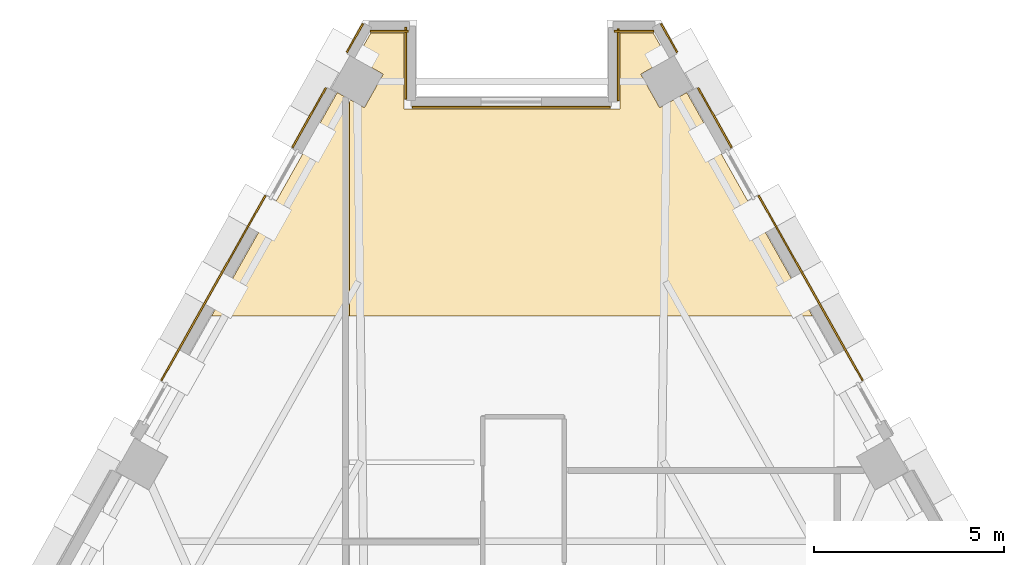
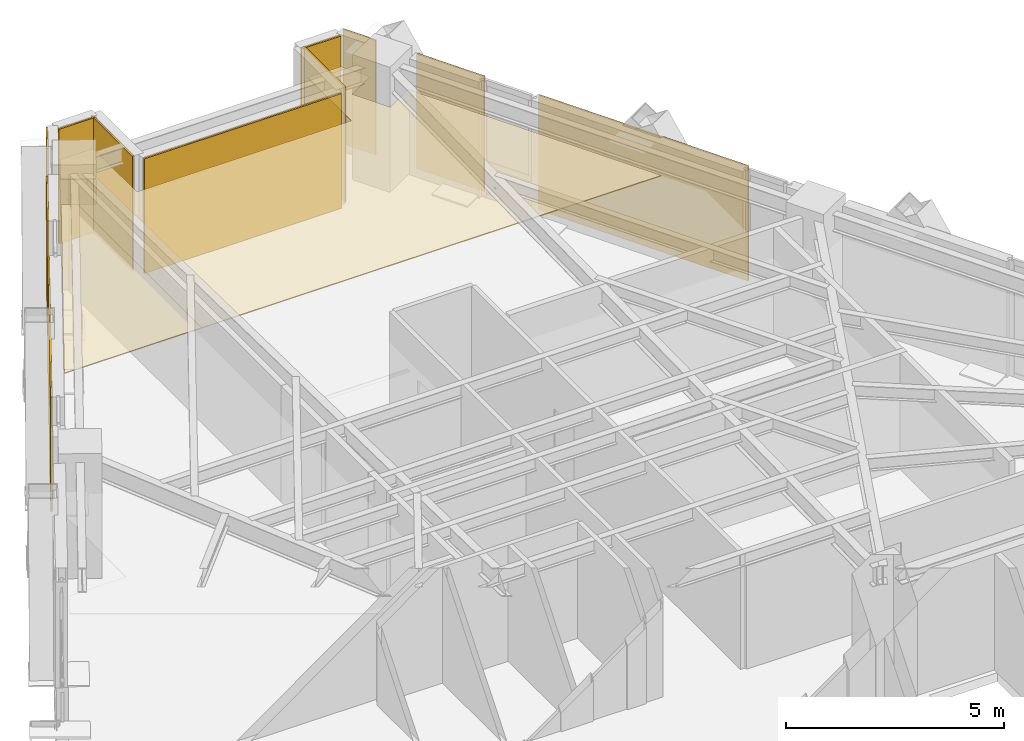
# One storey, part 13 of 13: 13 coverings.
"""IFC4 building model written with IfcOpenShell, lengths in metres."""

import ifcopenshell
import ifcopenshell.guid

model = None  # the IFC model being written
_history = None  # IfcOwnerHistory: only IFC2X3 demands one
_inside = {}  # id of a spatial element -> (the spatial element, [elements in it])
_under = {}  # id of a project, library or spatial element -> (it, [spatial elements below it])
_declared = {}  # id of a project -> (the project, [libraries it declares])
_typed = {}  # id of a type object -> (the type object, [elements of that type])
_made_of = {}  # id of a material, layer set ... -> (it, [elements and type objects made of it])


def new_model(schema):
    """Start an empty IFC model of exactly this schema.

    Asked for "IFC4X3", IfcOpenShell would pick the latest addendum, in which some entities
    have other attributes; the version numbers below select the first issue.
    IFC2X3 requires an IfcOwnerHistory on every rooted entity: one is made here for all.
    """
    global model, _history
    if schema == "IFC4X3":
        model = ifcopenshell.file(schema_version=(4, 3, 0, 0))
    else:
        model = ifcopenshell.file(schema=schema)
    _inside.clear()
    _under.clear()
    _declared.clear()
    _typed.clear()
    _made_of.clear()
    _history = None
    if model.schema == "IFC2X3":
        org = make("IfcOrganization", Name="unknown")
        user = make(
            "IfcPersonAndOrganization",
            ThePerson=make("IfcPerson", FamilyName="unknown"),
            TheOrganization=org,
        )
        app = make(
            "IfcApplication",
            ApplicationDeveloper=org,
            Version="unknown",
            ApplicationFullName="unknown",
            ApplicationIdentifier="unknown",
        )
        _history = make(
            "IfcOwnerHistory",
            OwningUser=user,
            OwningApplication=app,
            ChangeAction="ADDED",
            CreationDate=0,
        )
    return model


def make(cls, **values):
    """One entity of the class cls with the attributes given. An attribute that is None is left unset."""
    return model.create_entity(
        cls, **{name: value for name, value in values.items() if value is not None}
    )


def rooted(cls, **values):
    """An entity with a GlobalId (a new one), such as an element, a storey or a relation."""
    return make(cls, GlobalId=ifcopenshell.guid.new(), OwnerHistory=_history, **values)


def si_unit(unit_type, name, prefix=None):
    """IfcSIUnit, for example si_unit("LENGTHUNIT", "METRE", prefix="MILLI")."""
    return make("IfcSIUnit", UnitType=unit_type, Prefix=prefix, Name=name)


def assignment(units):
    """IfcUnitAssignment: the units of a project."""
    return None if units is None else make("IfcUnitAssignment", Units=units)


def point(xyz):
    """IfcCartesianPoint."""
    return None if xyz is None else make("IfcCartesianPoint", Coordinates=xyz)


def direction(xyz):
    """IfcDirection."""
    return None if xyz is None else make("IfcDirection", DirectionRatios=xyz)


def frame(location, z_axis=None, x_axis=None):
    """IfcAxis2Placement3D, a coordinate frame: its origin and axes. An axis left out is left unset."""
    return make(
        "IfcAxis2Placement3D",
        Location=point(location),
        Axis=direction(z_axis),
        RefDirection=direction(x_axis),
    )


def origin():
    """The frame at (0, 0, 0) with its axes left unset."""
    return frame((0.0, 0.0, 0.0))


def place(relative_to, where):
    """IfcLocalPlacement: puts the frame where relative to a parent placement (None: the world)."""
    return make(
        "IfcLocalPlacement", PlacementRelTo=relative_to, RelativePlacement=where
    )


def context(
    kind, dimensions, precision=None, world=None, true_north=None, identifier=None
):
    """IfcGeometricRepresentationContext, for example the 3D "Model" context."""
    return make(
        "IfcGeometricRepresentationContext",
        ContextIdentifier=identifier,
        ContextType=kind,
        CoordinateSpaceDimension=dimensions,
        Precision=precision,
        WorldCoordinateSystem=world,
        TrueNorth=true_north,
    )


def subcontext(parent, identifier, kind, view, scale=None):
    """IfcGeometricRepresentationSubContext, for example "Body" below "Model"."""
    return make(
        "IfcGeometricRepresentationSubContext",
        ContextIdentifier=identifier,
        ContextType=kind,
        ParentContext=parent,
        TargetScale=scale,
        TargetView=view,
    )


def project(units=None, contexts=None):
    """IfcProject with its units and contexts."""
    return rooted(
        "IfcProject",
        Name="project",
        RepresentationContexts=contexts,
        UnitsInContext=assignment(units),
    )


def spatial(cls, under=None, at=None, **own):
    """A site, building, storey or space (cls), placed at a placement, below another one or the project."""
    s = rooted(cls, ObjectPlacement=at, **own)
    if under is not None:
        _under.setdefault(under.id(), (under, []))[1].append(s)
    return s


def polyline(points):
    """IfcPolyline through the points."""
    return make("IfcPolyline", Points=[point(p) for p in points])


def outline(outer, holes=None, kind="AREA"):
    """IfcArbitraryClosedProfileDef: a profile drawn as a closed curve; with holes, ...WithVoids."""
    if holes is None:
        return make("IfcArbitraryClosedProfileDef", ProfileType=kind, OuterCurve=outer)
    return make(
        "IfcArbitraryProfileDefWithVoids",
        ProfileType=kind,
        OuterCurve=outer,
        InnerCurves=holes,
    )


def extrude(swept, where, along, depth):
    """IfcExtrudedAreaSolid: the profile swept, set in the frame where, extruded along a direction by depth."""
    return make(
        "IfcExtrudedAreaSolid",
        SweptArea=swept,
        Position=where,
        ExtrudedDirection=direction(along),
        Depth=depth,
    )


def shape(context_of_items, identifier, shape_type, items):
    """IfcShapeRepresentation: the items that make up one representation, for example the "Body"."""
    return make(
        "IfcShapeRepresentation",
        ContextOfItems=context_of_items,
        RepresentationIdentifier=identifier,
        RepresentationType=shape_type,
        Items=items,
    )


def material(Name=None, Category=None):
    """IfcMaterial."""
    return make("IfcMaterial", Name=Name, Category=Category)


def layer(
    of_material, thickness, ventilated=None, Name=None, Category=None, Priority=None
):
    """IfcMaterialLayer: one layer of a wall or slab, of a material (None: an air gap)."""
    return make(
        "IfcMaterialLayer",
        Material=of_material,
        LayerThickness=thickness,
        IsVentilated=ventilated,
        Name=Name,
        Category=Category,
        Priority=Priority,
    )


def layer_set(layers, Name=None):
    """IfcMaterialLayerSet."""
    return make("IfcMaterialLayerSet", MaterialLayers=layers, LayerSetName=Name)


def made_of(thing, what):
    """Note that an element or type object is made of a material, layer set ...; save() writes the relation."""
    if what is not None:
        _made_of.setdefault(what.id(), (what, []))[1].append(thing)
    return thing


def type_object(cls, material=None, **own):
    """A type object (cls), such as IfcWallType, which elements share."""
    return made_of(rooted(cls, **own), material)


def element(
    cls,
    number,
    at=None,
    inside=None,
    cuts=None,
    type_object=None,
    material=None,
    context=None,
    identifier="Body",
    shape_type=None,
    held_by="IfcProductDefinitionShape",
    body=None,
    shapes=None,
    **own,
):
    """One element of the class cls, such as IfcWall. Its Tag is "e" and its number.

    at: its placement. inside: the storey or other place that contains it. cuts: it is an
    opening in that element (IfcRelVoidsElement). A single representation is given by context,
    identifier, shape_type and body (its items); several are given by shapes. held_by: the class
    of the entity that holds the representations. save() writes the other relations.
    """
    e = rooted(cls, Tag="e%d" % number, ObjectPlacement=at, **own)
    if body is not None:
        shapes = [shape(context, identifier, shape_type, body)]
    if shapes is not None:
        e.Representation = make(held_by, Representations=shapes)
    if inside is not None:
        _inside.setdefault(inside.id(), (inside, []))[1].append(e)
    if cuts is not None:
        rooted(
            "IfcRelVoidsElement", RelatingBuildingElement=cuts, RelatedOpeningElement=e
        )
    if type_object is not None:
        _typed.setdefault(type_object.id(), (type_object, []))[1].append(e)
    return made_of(e, material)


def aggregate(whole, parts):
    """IfcRelAggregates: a whole, such as a stair, and the parts it consists of."""
    return rooted("IfcRelAggregates", RelatingObject=whole, RelatedObjects=parts)


def save(model, path):
    """Write the relations noted so far, then the file.

    IfcRelAggregates (storeys below a building ...), IfcRelContainedInSpatialStructure (elements
    in a storey), IfcRelDefinesByType, IfcRelAssociatesMaterial and IfcRelDeclares: one each for
    every whole, place, type object, material and project.
    """
    for whole, parts in _under.values():
        aggregate(whole, parts)
    for where, things in _inside.values():
        rooted(
            "IfcRelContainedInSpatialStructure",
            RelatedElements=things,
            RelatingStructure=where,
        )
    for kind, things in _typed.values():
        rooted("IfcRelDefinesByType", RelatedObjects=things, RelatingType=kind)
    for what, things in _made_of.values():
        rooted("IfcRelAssociatesMaterial", RelatedObjects=things, RelatingMaterial=what)
    for by, libraries in _declared.values():
        rooted("IfcRelDeclares", RelatingContext=by, RelatedDefinitions=libraries)
    model.write(path)


model = new_model("IFC4")

# Units and contexts
model_context = context("Model", 3, precision=1e-05, world=origin(), true_north=direction((0.0, 1.0)))
body_context = subcontext(model_context, "Body", "Model", "MODEL_VIEW")
ifc_project = project(units=[si_unit("LENGTHUNIT", "METRE"), si_unit("AREAUNIT", "SQUARE_METRE"), si_unit("VOLUMEUNIT", "CUBIC_METRE"), si_unit("PLANEANGLEUNIT", "RADIAN"), si_unit("MASSUNIT", "GRAM", prefix="KILO")], contexts=[model_context])

# Site, building, storey
site_placement = place(None, origin())
site = spatial("IfcSite", under=ifc_project, at=site_placement, CompositionType="ELEMENT")
building_placement = place(site_placement, origin())
building = spatial("IfcBuilding", under=site, at=building_placement, Name="Quenlor Broadcast Tower", CompositionType="ELEMENT")
storey_placement = place(building_placement, frame((0.0, 0.0, 147.5)))
storey = spatial("IfcBuildingStorey", under=building, at=storey_placement, Name="L40", CompositionType="ELEMENT", Elevation=147.5)

# Coverings
ifc_material_1 = material(Name="Acoustic Mineral Fibre Board", Category="other")
ifc_layer_1 = layer(ifc_material_1, 0.02490234375)
ifc_layer_set_1 = layer_set([ifc_layer_1], Name="Acoustic Perforated Mineral Tile Ceiling 25")
covering_type_1 = type_object("IfcCoveringType", Name="Acoustic Perforated Mineral Tile Ceiling 25", PredefinedType="CEILING", material=ifc_layer_set_1)
covering_1_placement = place(storey_placement, frame((0.0, 0.0, 2.375)))
element("IfcCovering", 1, at=covering_1_placement, inside=storey, type_object=covering_type_1, Name="L40 Acoustic Ceiling L40-29-2", PredefinedType="CEILING", context=body_context, shape_type="SweptSolid", body=[
    extrude(outline(polyline([(3.71630859375, 20.10009765625), (4.100341796875, 19.416748046875), (3.387451171875, 19.015869140625), (3.885498046875, 18.13037109375), (4.598388671875, 18.53125), (7.90673828125, 12.64990234375), (-4.300048828125, 12.64990234375), (-4.300048828125, 18.36328125), (-3.885498046875, 18.13037109375), (-3.387451171875, 19.015869140625), (-4.100341796875, 19.416748046875), (-3.71630859375, 20.10009765625), (-2.840087890625, 20.10009765625), (-2.840087890625, 18.10009765625), (2.840087890625, 18.10009765625), (2.840087890625, 20.10009765625), (3.71630859375, 20.10009765625)])), origin(), (0.0, 0.0, 1.0), 0.02490234375),
])
covering_2_placement = place(storey_placement, frame((0.0, 0.0, 2.375)))
element("IfcCovering", 2, at=covering_2_placement, inside=storey, type_object=covering_type_1, Name="L40 Acoustic Ceiling L40-35-3", PredefinedType="CEILING", context=body_context, shape_type="SweptSolid", body=[
    extrude(outline(polyline([(-6.2578125, 15.581787109375), (-4.598388671875, 18.53125), (-4.27001953125, 18.346435546875), (-4.27001953125, 12.64990234375), (-7.90673828125, 12.64990234375), (-6.2578125, 15.581787109375)])), origin(), (0.0, 0.0, 1.0), 0.02490234375),
])
ifc_material_2 = material(Name="Architectural Terracotta Ceramic", Category="masonry")
ifc_layer_2 = layer(ifc_material_2, 0.044921875)
ifc_layer_set_2 = layer_set([ifc_layer_2], Name="Fluted Terracotta Rainscreen Cladding Panel")
covering_type_2 = type_object("IfcCoveringType", Name="Fluted Terracotta Rainscreen Cladding Panel", PredefinedType="CLADDING", material=ifc_layer_set_2)
covering_3_placement = place(storey_placement, frame((0.0, 0.0, 0.02001953125)))
element("IfcCovering", 3, at=covering_3_placement, inside=storey, type_object=covering_type_2, Name="L40 Terracotta Rainscreen Cladding L40-SHD-NES0", PredefinedType="CLADDING", context=body_context, shape_type="SweptSolid", body=[
    extrude(outline(polyline([(3.904296875, 20.330810546875), (4.32861328125, 19.576171875), (4.367919921875, 19.59814453125), (3.943359375, 20.352783203125), (3.904296875, 20.330810546875)])), origin(), (0.0, 0.0, 1.0), 3.2099609375),
])
covering_4_placement = place(storey_placement, frame((0.0, 0.0, 0.02001953125)))
element("IfcCovering", 4, at=covering_4_placement, inside=storey, type_object=covering_type_2, Name="L40 Terracotta Rainscreen Cladding L40-NEA-SP1", PredefinedType="CLADDING", context=body_context, shape_type="SweptSolid", body=[
    extrude(outline(polyline([(4.880615234375, 18.635986328125), (5.760986328125, 17.070556640625), (5.80029296875, 17.092529296875), (4.919677734375, 18.657958984375), (4.880615234375, 18.635986328125)])), origin(), (0.0, 0.0, 1.0), 3.2099609375),
])
covering_5_placement = place(storey_placement, frame((0.0, 0.0, 0.02001953125)))
element("IfcCovering", 5, at=covering_5_placement, inside=storey, type_object=covering_type_2, Name="L40 Terracotta Rainscreen Cladding L40-NEA-SP2", PredefinedType="CLADDING", context=body_context, shape_type="SweptSolid", body=[
    extrude(outline(polyline([(6.4716796875, 15.806884765625), (9.208984375, 10.940673828125), (9.248291015625, 10.962646484375), (6.510986328125, 15.8291015625), (6.4716796875, 15.806884765625)])), origin(), (0.0, 0.0, 1.0), 3.2099609375),
])
covering_6_placement = place(storey_placement, frame((0.0, 0.0, 0.02001953125)))
element("IfcCovering", 6, at=covering_6_placement, inside=storey, type_object=covering_type_2, Name="L40 Terracotta Rainscreen Cladding L40-SHD-NWS1", PredefinedType="CLADDING", context=body_context, shape_type="SweptSolid", body=[
    extrude(outline(polyline([(-4.32861328125, 19.576171875), (-3.904296875, 20.330810546875), (-3.943359375, 20.352783203125), (-4.367919921875, 19.59814453125), (-4.32861328125, 19.576171875)])), origin(), (0.0, 0.0, 1.0), 3.2099609375),
])
covering_7_placement = place(storey_placement, frame((0.0, 0.0, 0.02001953125)))
element("IfcCovering", 7, at=covering_7_placement, inside=storey, type_object=covering_type_2, Name="L40 Terracotta Rainscreen Cladding L40-NWC-SP2", PredefinedType="CLADDING", context=body_context, shape_type="SweptSolid", body=[
    extrude(outline(polyline([(-9.208984375, 10.940673828125), (-6.4716796875, 15.806884765625), (-6.510986328125, 15.8291015625), (-9.248291015625, 10.962646484375), (-9.208984375, 10.940673828125)])), origin(), (0.0, 0.0, 1.0), 3.2099609375),
])
covering_8_placement = place(storey_placement, frame((0.0, 0.0, 0.02001953125)))
element("IfcCovering", 8, at=covering_8_placement, inside=storey, type_object=covering_type_2, Name="L40 Terracotta Rainscreen Cladding L40-NWC-SP3", PredefinedType="CLADDING", context=body_context, shape_type="SweptSolid", body=[
    extrude(outline(polyline([(-5.760986328125, 17.070556640625), (-4.880615234375, 18.635986328125), (-4.919677734375, 18.657958984375), (-5.80029296875, 17.092529296875), (-5.760986328125, 17.070556640625)])), origin(), (0.0, 0.0, 1.0), 3.2099609375),
])
covering_9_placement = place(storey_placement, frame((0.0, 0.0, 0.02001953125)))
element("IfcCovering", 9, at=covering_9_placement, inside=storey, type_object=covering_type_2, Name="L40 Terracotta Rainscreen Cladding L40-CNR-06", PredefinedType="CLADDING", context=body_context, shape_type="SweptSolid", body=[
    extrude(outline(polyline([(3.7314453125, 20.16796875), (2.68994140625, 20.16796875), (2.68994140625, 20.123046875), (3.7314453125, 20.123046875), (3.7314453125, 20.16796875)])), origin(), (0.0, 0.0, 1.0), 3.2099609375),
])
covering_10_placement = place(storey_placement, frame((0.0, 0.0, 0.02001953125)))
element("IfcCovering", 10, at=covering_10_placement, inside=storey, type_object=covering_type_2, Name="L40 Terracotta Rainscreen Cladding L40-CNR-07", PredefinedType="CLADDING", context=body_context, shape_type="SweptSolid", body=[
    extrude(outline(polyline([(2.77197265625, 20.2099609375), (2.77197265625, 18.31005859375), (2.81689453125, 18.31005859375), (2.81689453125, 20.2099609375), (2.77197265625, 20.2099609375)])), origin(), (0.0, 0.0, 1.0), 3.2099609375),
])
covering_11_placement = place(storey_placement, frame((0.0, 0.0, 0.02001953125)))
element("IfcCovering", 11, at=covering_11_placement, inside=storey, type_object=covering_type_2, Name="L40 Terracotta Rainscreen Cladding L40-CNR-08", PredefinedType="CLADDING", context=body_context, shape_type="SweptSolid", body=[
    extrude(outline(polyline([(2.590087890625, 18.16796875), (-2.6298828125, 18.16796875), (-2.6298828125, 18.123046875), (2.590087890625, 18.123046875), (2.590087890625, 18.16796875)])), origin(), (0.0, 0.0, 1.0), 3.2099609375),
])
covering_12_placement = place(storey_placement, frame((0.0, 0.0, 0.02001953125)))
element("IfcCovering", 12, at=covering_12_placement, inside=storey, type_object=covering_type_2, Name="L40 Terracotta Rainscreen Cladding L40-CNR-09", PredefinedType="CLADDING", context=body_context, shape_type="SweptSolid", body=[
    extrude(outline(polyline([(-2.77197265625, 18.35009765625), (-2.77197265625, 20.25), (-2.81689453125, 20.25), (-2.81689453125, 18.35009765625), (-2.77197265625, 18.35009765625)])), origin(), (0.0, 0.0, 1.0), 3.2099609375),
])
covering_13_placement = place(storey_placement, frame((0.0, 0.0, 0.02001953125)))
element("IfcCovering", 13, at=covering_13_placement, inside=storey, type_object=covering_type_2, Name="L40 Terracotta Rainscreen Cladding L40-CNR-10", PredefinedType="CLADDING", context=body_context, shape_type="SweptSolid", body=[
    extrude(outline(polyline([(-2.72998046875, 20.16796875), (-3.7314453125, 20.16796875), (-3.7314453125, 20.123046875), (-2.72998046875, 20.123046875), (-2.72998046875, 20.16796875)])), origin(), (0.0, 0.0, 1.0), 3.2099609375),
])

save(model, "model.ifc")
